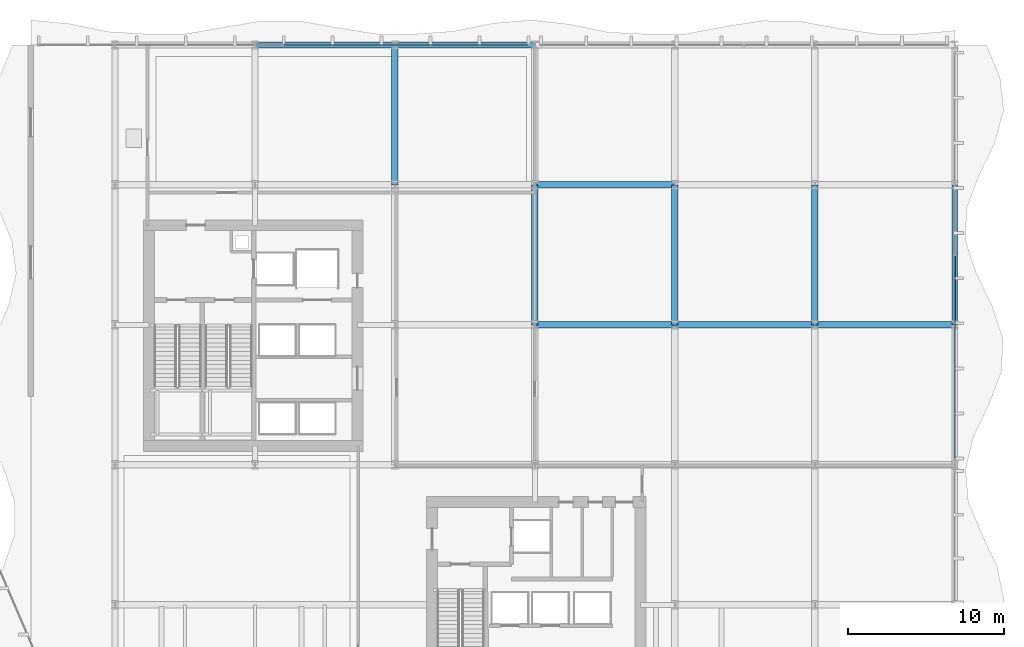
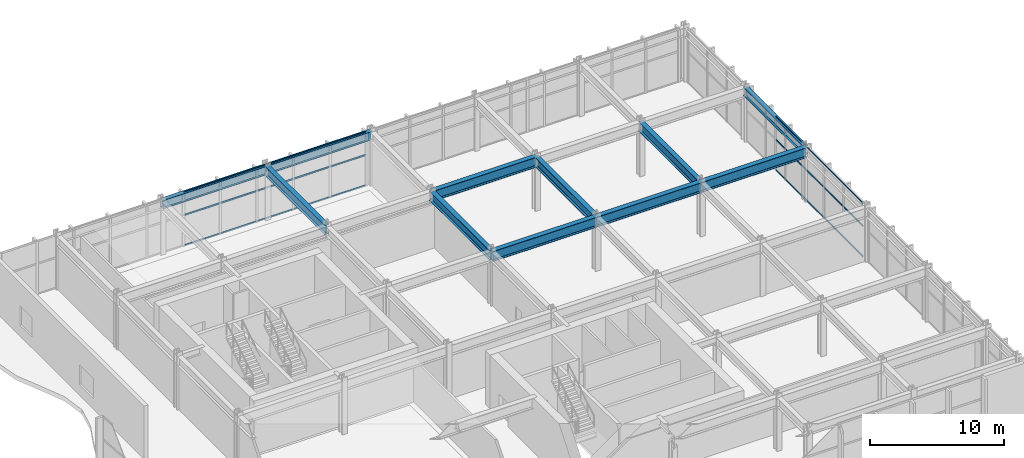
# One storey, part 16 of 31: 11 beams, 6 members, 2 elements without a shape of their own.
"""IFC4 building model written with IfcOpenShell, lengths in metres."""

from ifc_helpers import new_model, si_unit, direction, frame, origin, origin_2d, place, context, subcontext, project, spatial, hollow_rectangle, i_section, extrude, material, layer, layer_set, material_profile, profile_set, type_object, element, aggregate, save


model = new_model("IFC4")

# Units and contexts
model_context = context("Model", 3, precision=1e-05, world=origin(), true_north=direction((0.0, 1.0)))
body_context = subcontext(model_context, "Body", "Model", "MODEL_VIEW")
ifc_project = project(units=[si_unit("LENGTHUNIT", "METRE"), si_unit("AREAUNIT", "SQUARE_METRE"), si_unit("VOLUMEUNIT", "CUBIC_METRE"), si_unit("PLANEANGLEUNIT", "RADIAN"), si_unit("MASSUNIT", "GRAM", prefix="KILO")], contexts=[model_context])

# Site, building, storey
site_placement = place(None, origin())
site = spatial("IfcSite", under=ifc_project, at=site_placement, CompositionType="ELEMENT")
building_placement = place(site_placement, origin())
building = spatial("IfcBuilding", under=site, at=building_placement, Name="Solvaryn Broadcast Tower", CompositionType="ELEMENT")
storey_placement = place(building_placement, frame((0.0, 0.0, 11.0)))
storey = spatial("IfcBuildingStorey", under=building, at=storey_placement, Name="L02", CompositionType="ELEMENT", Elevation=11.0)

# Beams
ifc_material_1 = material(Name="Steel ASTM A992 Grade 50", Category="steel")
ifc_material_profile_1 = material_profile(ifc_material_1, i_section(OverallWidth=0.41796875, OverallDepth=0.927001953125, WebThickness=0.019287109375, FlangeThickness=0.031982421875, FilletRadius=0.02392578125, at=origin_2d()))
ifc_profile_set_1 = profile_set([ifc_material_profile_1], Name="Steel ASTM A992 Grade 50")
beam_type_1 = type_object("IfcBeamType", Name="BM-G2-W36X231", PredefinedType="BEAM", material=ifc_profile_set_1)
for number, where, z_axis, x_axis, name in (
    (1, (36.0, 36.0, 4.41650390625), (1.0, 0.0, 0.0), (0.0, 1.0, 0.0), "L02 Primary Beam X (36-45 @ Y=36)"),
    (2, (45.0, 36.0, 4.41650390625), (1.0, 0.0, 0.0), (0.0, 1.0, 0.0), "L02 Primary Beam X (45-54 @ Y=36)"),
    (3, (54.0, 36.0, 4.41650390625), (1.0, 0.0, 0.0), (0.0, 1.0, 0.0), "L02 Primary Beam X (54-63 @ Y=36)"),
    (4, (36.0, 45.0, 4.41650390625), (1.0, 0.0, 0.0), (0.0, 1.0, 0.0), "L02 Primary Beam X (36-45 @ Y=45)"),
):
    element("IfcBeam", number, at=place(storey_placement, frame(where, z_axis=z_axis, x_axis=x_axis)), inside=storey, type_object=beam_type_1, Name=name, PredefinedType="BEAM", context=body_context, shape_type="SweptSolid", body=[
        extrude(i_section(OverallWidth=0.41796875, OverallDepth=0.927001953125, WebThickness=0.019287109375, FlangeThickness=0.031982421875, FilletRadius=0.02392578125, at=origin_2d()), origin(), (0.0, 0.0, 1.0), 9.0),
    ])
ifc_material_2 = material(Name="Steel ASTM A992 Grade 50", Category="steel")
ifc_material_profile_2 = material_profile(ifc_material_2, i_section(OverallWidth=0.39990234375, OverallDepth=0.85498046875, WebThickness=0.018310546875, FlangeThickness=0.029296875, FilletRadius=0.02001953125, at=origin_2d()))
ifc_profile_set_2 = profile_set([ifc_material_profile_2], Name="Steel ASTM A992 Grade 50")
beam_type_2 = type_object("IfcBeamType", Name="BM-G3-W33X201", PredefinedType="BEAM", material=ifc_profile_set_2)
for number, where, z_axis, x_axis, name in (
    (5, (27.0, 45.0, 4.452392578125), (0.0, 1.0, 0.0), (-1.0, 0.0, 0.0), "L02 Primary Beam Y (45-54 @ X=27)"),
    (6, (36.0, 36.0, 4.452392578125), (0.0, 1.0, 0.0), (-1.0, 0.0, 0.0), "L02 Primary Beam Y (36-45 @ X=36)"),
    (7, (45.0, 36.0, 4.452392578125), (0.0, 1.0, 0.0), (-1.0, 0.0, 0.0), "L02 Primary Beam Y (36-45 @ X=45)"),
    (8, (54.0, 36.0, 4.452392578125), (0.0, 1.0, 0.0), (-1.0, 0.0, 0.0), "L02 Primary Beam Y (36-45 @ X=54)"),
):
    element("IfcBeam", number, at=place(storey_placement, frame(where, z_axis=z_axis, x_axis=x_axis)), inside=storey, type_object=beam_type_2, Name=name, PredefinedType="BEAM", context=body_context, shape_type="SweptSolid", body=[
        extrude(i_section(OverallWidth=0.39990234375, OverallDepth=0.85498046875, WebThickness=0.018310546875, FlangeThickness=0.029296875, FilletRadius=0.02001953125, at=origin_2d()), origin(), (0.0, 0.0, 1.0), 9.0),
    ])
ifc_material_3 = material(Name="Steel ASTM A992 Grade 50", Category="steel")
ifc_material_profile_3 = material_profile(ifc_material_3, i_section(OverallWidth=0.381103515625, OverallDepth=0.77294921875, WebThickness=0.0166015625, FlangeThickness=0.027099609375, FilletRadius=0.01806640625, at=origin_2d()))
ifc_profile_set_3 = profile_set([ifc_material_profile_3], Name="Steel ASTM A992 Grade 50")
beam_type_3 = type_object("IfcBeamType", Name="BM-SP1-W30X173", PredefinedType="USERDEFINED", material=ifc_profile_set_3)
for number, where, z_axis, x_axis, name in (
    (9, (18.0, 54.0, 4.493408203125), (1.0, 0.0, 0.0), (0.0, 1.0, 0.0), "L02 Spandrel Beam X (18-27 @ Y=54)"),
    (10, (27.0, 54.0, 4.493408203125), (1.0, 0.0, 0.0), (0.0, 1.0, 0.0), "L02 Spandrel Beam X (27-36 @ Y=54)"),
    (11, (63.0, 36.0, 4.493408203125), (0.0, 1.0, 0.0), (-1.0, 0.0, 0.0), "L02 Spandrel Beam Y (36-45 @ X=63)"),
):
    element("IfcBeam", number, at=place(storey_placement, frame(where, z_axis=z_axis, x_axis=x_axis)), inside=storey, type_object=beam_type_3, Name=name, ObjectType="SPANDREL", PredefinedType="USERDEFINED", context=body_context, shape_type="SweptSolid", body=[
        extrude(i_section(OverallWidth=0.381103515625, OverallDepth=0.77294921875, WebThickness=0.0166015625, FlangeThickness=0.027099609375, FilletRadius=0.01806640625, at=origin_2d()), origin(), (0.0, 0.0, 1.0), 9.0),
    ])

# Curtain wall, members
ifc_material_4 = material(Name="Aluminium and Terracotta Unitised Curtain Wall", Category="masonry")
ifc_layer = layer(ifc_material_4, 0.219970703125)
ifc_layer_set = layer_set([ifc_layer], Name="CW-SYS1-PODIUM")
curtain_wall_type = type_object("IfcCurtainWallType", Name="CW-SYS1-PODIUM", PredefinedType="NOTDEFINED", material=ifc_layer_set)
curtain_wall_1_placement = place(storey_placement, origin())
curtain_wall_1 = element("IfcCurtainWall", 12, at=curtain_wall_1_placement, inside=storey, type_object=curtain_wall_type, Name="L02 Podium Curtain Wall N1", PredefinedType="NOTDEFINED")
ifc_material_5 = material(Name="Anodised Aluminium 6063-T6", Category="aluminium")
ifc_material_profile_4 = material_profile(ifc_material_5, hollow_rectangle(XDim=0.06494140625, YDim=0.14990234375, WallThickness=0.00390625, InnerFilletRadius=0.00390625, OuterFilletRadius=0.008056640625, at=origin_2d()))
ifc_profile_set_4 = profile_set([ifc_material_profile_4], Name="Anodised Aluminium 6063-T6")
member_type = type_object("IfcMemberType", Name="CW-TRN-150", PredefinedType="USERDEFINED", material=ifc_profile_set_4)
member_1_placement = place(storey_placement, frame((19.8798828125, 54.0, 0.030029296875), z_axis=(1.0, 0.0, 0.0), x_axis=(0.0, 1.0, 0.0)))
member_1 = element("IfcMember", 13, at=member_1_placement, type_object=member_type, Name="CWS1 transom 2.1", ObjectType="TRANSOM", PredefinedType="USERDEFINED", context=body_context, shape_type="SweptSolid", body=[
    extrude(hollow_rectangle(XDim=0.06494140625, YDim=0.14990234375, WallThickness=0.00390625, InnerFilletRadius=0.00390625, OuterFilletRadius=0.008056640625, at=origin_2d()), origin(), (0.0, 0.0, 1.0), 15.66015625),
])
member_2_placement = place(storey_placement, frame((19.8798828125, 54.0, 2.800048828125), z_axis=(1.0, 0.0, 0.0), x_axis=(0.0, 1.0, 0.0)))
member_2 = element("IfcMember", 14, at=member_2_placement, type_object=member_type, Name="CWS1 transom 2.2", ObjectType="TRANSOM", PredefinedType="USERDEFINED", context=body_context, shape_type="SweptSolid", body=[
    extrude(hollow_rectangle(XDim=0.06494140625, YDim=0.14990234375, WallThickness=0.00390625, InnerFilletRadius=0.00390625, OuterFilletRadius=0.008056640625, at=origin_2d()), origin(), (0.0, 0.0, 1.0), 15.66015625),
])
member_3_placement = place(storey_placement, frame((19.8798828125, 54.0, 4.85009765625), z_axis=(1.0, 0.0, 0.0), x_axis=(0.0, 1.0, 0.0)))
member_3 = element("IfcMember", 15, at=member_3_placement, type_object=member_type, Name="CWS1 transom 2.3", ObjectType="TRANSOM", PredefinedType="USERDEFINED", context=body_context, shape_type="SweptSolid", body=[
    extrude(hollow_rectangle(XDim=0.06494140625, YDim=0.14990234375, WallThickness=0.00390625, InnerFilletRadius=0.00390625, OuterFilletRadius=0.008056640625, at=origin_2d()), origin(), (0.0, 0.0, 1.0), 15.66015625),
])
aggregate(curtain_wall_1, [member_1, member_2, member_3])

curtain_wall_2_placement = place(storey_placement, origin())
curtain_wall_2 = element("IfcCurtainWall", 16, at=curtain_wall_2_placement, inside=storey, type_object=curtain_wall_type, Name="L02 Podium Curtain Wall E1", PredefinedType="NOTDEFINED")
member_4_placement = place(storey_placement, frame((63.0, 40.419921875, 0.030029296875), z_axis=(0.0, -1.0, 0.0), x_axis=(1.0, 0.0, 0.0)))
member_4 = element("IfcMember", 17, at=member_4_placement, type_object=member_type, Name="CWS1 transom 2.1", ObjectType="TRANSOM", PredefinedType="USERDEFINED", context=body_context, shape_type="SweptSolid", body=[
    extrude(hollow_rectangle(XDim=0.06494140625, YDim=0.14990234375, WallThickness=0.00390625, InnerFilletRadius=0.00390625, OuterFilletRadius=0.008056640625, at=origin_2d()), origin(), (0.0, 0.0, 1.0), 12.9599609375),
])
member_5_placement = place(storey_placement, frame((63.0, 40.419921875, 2.800048828125), z_axis=(0.0, -1.0, 0.0), x_axis=(1.0, 0.0, 0.0)))
member_5 = element("IfcMember", 18, at=member_5_placement, type_object=member_type, Name="CWS1 transom 2.2", ObjectType="TRANSOM", PredefinedType="USERDEFINED", context=body_context, shape_type="SweptSolid", body=[
    extrude(hollow_rectangle(XDim=0.06494140625, YDim=0.14990234375, WallThickness=0.00390625, InnerFilletRadius=0.00390625, OuterFilletRadius=0.008056640625, at=origin_2d()), origin(), (0.0, 0.0, 1.0), 12.9599609375),
])
member_6_placement = place(storey_placement, frame((63.0, 40.419921875, 4.85009765625), z_axis=(0.0, -1.0, 0.0), x_axis=(1.0, 0.0, 0.0)))
member_6 = element("IfcMember", 19, at=member_6_placement, type_object=member_type, Name="CWS1 transom 2.3", ObjectType="TRANSOM", PredefinedType="USERDEFINED", context=body_context, shape_type="SweptSolid", body=[
    extrude(hollow_rectangle(XDim=0.06494140625, YDim=0.14990234375, WallThickness=0.00390625, InnerFilletRadius=0.00390625, OuterFilletRadius=0.008056640625, at=origin_2d()), origin(), (0.0, 0.0, 1.0), 12.9599609375),
])
aggregate(curtain_wall_2, [member_4, member_5, member_6])

save(model, "model.ifc")
